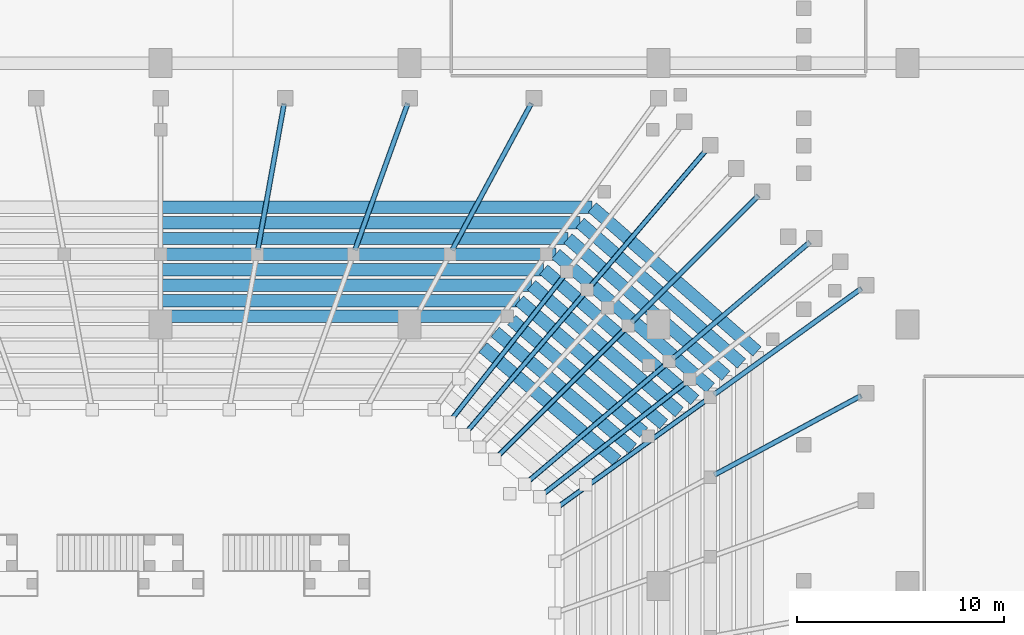
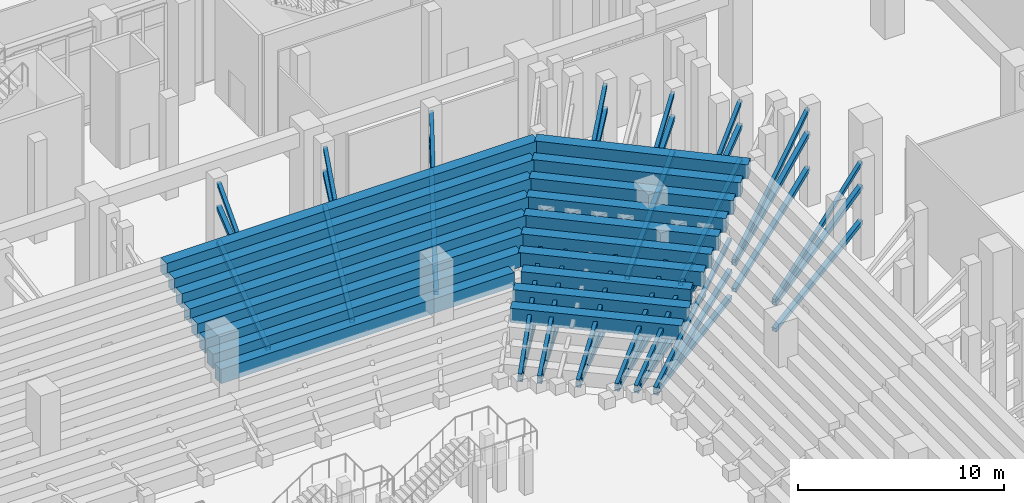
# One storey, part 50 of 143: 41 members, 18 beams.
"""IFC4 building model written with IfcOpenShell, lengths in metres."""

from ifc_helpers import new_model, si_unit, derived_unit, direction, frame, origin, origin_2d, place, context, subcontext, project, spatial, rectangle, hollow_rectangle, extrude, material, material_profile, profile_set, type_object, element, save


model = new_model("IFC4")

# Units and contexts
model_context = context("Model", 3, precision=1e-05, world=origin(), true_north=direction((0.0, 1.0)))
body_context = subcontext(model_context, "Body", "Model", "MODEL_VIEW")
ifc_project = project(units=[si_unit("LENGTHUNIT", "METRE"), si_unit("AREAUNIT", "SQUARE_METRE"), si_unit("VOLUMEUNIT", "CUBIC_METRE"), si_unit("PLANEANGLEUNIT", "RADIAN"), si_unit("MASSUNIT", "GRAM", prefix="KILO"), derived_unit("THERMALTRANSMITTANCEUNIT", [(si_unit("MASSUNIT", "GRAM", prefix="KILO"), 1), (si_unit("TIMEUNIT", "SECOND"), -3), (si_unit("THERMODYNAMICTEMPERATUREUNIT", "KELVIN"), -1)])], contexts=[model_context])

# Site, building, storey
site_placement = place(None, origin())
site = spatial("IfcSite", under=ifc_project, at=site_placement, CompositionType="ELEMENT")
building_placement = place(site_placement, origin())
building = spatial("IfcBuilding", under=site, at=building_placement, Name="Valcora Ridge Arena", CompositionType="ELEMENT")
storey_placement = place(building_placement, origin())
storey = spatial("IfcBuildingStorey", under=building, at=storey_placement, Name="L00", CompositionType="ELEMENT", Elevation=0.0)

# Beams
ifc_material_1 = material(Name="Concrete C40/50", Category="concrete")
ifc_material_profile_1 = material_profile(ifc_material_1, rectangle(XDim=0.60009765625, YDim=0.85009765625, at=origin_2d()), Name="RC 600x850")
ifc_profile_set_1 = profile_set([ifc_material_profile_1], Name="Concrete C40/50")
beam_type = type_object("IfcBeamType", Name="TY-BEAM-B-RC600-X", PredefinedType="BEAM", material=ifc_profile_set_1)
beam_1_placement = place(storey_placement, frame((80.0, 76.43994140625, 1.735107421875), z_axis=(-0.763745277173, 0.64551773918, 0.0), x_axis=(-0.64551773918, -0.763745277173, 0.0)))
element("IfcBeam", 1, at=beam_1_placement, inside=storey, type_object=beam_type, Name="B-RC600-X BEM-R2-B-RC600-X-0042", PredefinedType="BEAM", context=body_context, shape_type="SweptSolid", body=[
    extrude(rectangle(XDim=0.60009765625, YDim=0.85009765625, at=origin_2d()), origin(), (0.0, 0.0, 1.0), 8.458251953125),
])
beam_2_placement = place(storey_placement, frame((80.75, 77.02490234375, 2.175048828125), z_axis=(-0.762294079169, 0.647230821936, 0.0), x_axis=(-0.647230821936, -0.762294079169, 0.0)))
element("IfcBeam", 2, at=beam_2_placement, inside=storey, type_object=beam_type, Name="B-RC600-X BEM-R2-B-RC600-X-0054", PredefinedType="BEAM", context=body_context, shape_type="SweptSolid", body=[
    extrude(rectangle(XDim=0.60009765625, YDim=0.85009765625, at=origin_2d()), origin(), (0.0, 0.0, 1.0), 8.69091796875),
])
beam_3_placement = place(storey_placement, frame((81.286865234375, 77.791748046875, 2.614990234375), z_axis=(-0.76091703384, 0.648849187109, 0.0), x_axis=(-0.648849187109, -0.76091703384, 0.0)))
element("IfcBeam", 3, at=beam_3_placement, inside=storey, type_object=beam_type, Name="B-RC600-X BEM-R2-B-RC600-X-0066", PredefinedType="BEAM", context=body_context, shape_type="SweptSolid", body=[
    extrude(rectangle(XDim=0.60009765625, YDim=0.85009765625, at=origin_2d()), origin(), (0.0, 0.0, 1.0), 8.36328125),
])
beam_4_placement = place(storey_placement, frame((74.429931640625, 83.39990234375, 2.614990234375), z_axis=(-1.0, 0.0, 0.0), x_axis=(0.0, -1.0, 0.0)))
element("IfcBeam", 4, at=beam_4_placement, inside=storey, type_object=beam_type, Name="B-RC600-X BEM-R2-B-RC600-X-0067", PredefinedType="BEAM", context=body_context, shape_type="SweptSolid", body=[
    extrude(rectangle(XDim=0.60009765625, YDim=0.85009765625, at=origin_2d()), origin(), (0.0, 0.0, 1.0), 16.429931640625),
])
beam_5_placement = place(storey_placement, frame((82.25, 78.195068359375, 3.054931640625), z_axis=(-0.759615985638, 0.650371858526, 0.0), x_axis=(-0.650371858526, -0.759615985638, 0.0)))
element("IfcBeam", 5, at=beam_5_placement, inside=storey, type_object=beam_type, Name="B-RC600-X BEM-R2-B-RC600-X-0078", PredefinedType="BEAM", context=body_context, shape_type="SweptSolid", body=[
    extrude(rectangle(XDim=0.60009765625, YDim=0.85009765625, at=origin_2d()), origin(), (0.0, 0.0, 1.0), 9.156005859375),
])
beam_6_placement = place(storey_placement, frame((75.294921875, 84.14990234375, 3.054931640625), z_axis=(-1.0, 0.0, 0.0), x_axis=(0.0, -1.0, 0.0)))
element("IfcBeam", 6, at=beam_6_placement, inside=storey, type_object=beam_type, Name="B-RC600-X BEM-R2-B-RC600-X-0079", PredefinedType="BEAM", context=body_context, shape_type="SweptSolid", body=[
    extrude(rectangle(XDim=0.60009765625, YDim=0.85009765625, at=origin_2d()), origin(), (0.0, 0.0, 1.0), 17.294921875),
])
beam_7_placement = place(storey_placement, frame((83.0, 78.780029296875, 3.4951171875), z_axis=(-0.758365655014, 0.651829374373, 0.0), x_axis=(-0.651829374373, -0.758365655014, 0.0)))
element("IfcBeam", 7, at=beam_7_placement, inside=storey, type_object=beam_type, Name="B-RC600-X BEM-R2-B-RC600-X-0090", PredefinedType="BEAM", context=body_context, shape_type="SweptSolid", body=[
    extrude(rectangle(XDim=0.60009765625, YDim=0.85009765625, at=origin_2d()), origin(), (0.0, 0.0, 1.0), 9.388671875),
])
beam_8_placement = place(storey_placement, frame((75.8798828125, 84.89990234375, 3.4951171875), z_axis=(-1.0, 0.0, 0.0), x_axis=(0.0, -1.0, 0.0)))
element("IfcBeam", 8, at=beam_8_placement, inside=storey, type_object=beam_type, Name="B-RC600-X BEM-R2-B-RC600-X-0091", PredefinedType="BEAM", context=body_context, shape_type="SweptSolid", body=[
    extrude(rectangle(XDim=0.60009765625, YDim=0.85009765625, at=origin_2d()), origin(), (0.0, 0.0, 1.0), 17.8798828125),
])
beam_9_placement = place(storey_placement, frame((83.75, 79.364990234375, 3.93505859375), z_axis=(-0.757162389152, 0.653226696067, 0.0), x_axis=(-0.653226696067, -0.757162389152, 0.0)))
element("IfcBeam", 9, at=beam_9_placement, inside=storey, type_object=beam_type, Name="B-RC600-X BEM-R2-B-RC600-X-0102", PredefinedType="BEAM", context=body_context, shape_type="SweptSolid", body=[
    extrude(rectangle(XDim=0.60009765625, YDim=0.85009765625, at=origin_2d()), origin(), (0.0, 0.0, 1.0), 9.621337890625),
])
beam_10_placement = place(storey_placement, frame((76.465087890625, 85.64990234375, 3.93505859375), z_axis=(-1.0, 0.0, 0.0), x_axis=(0.0, -1.0, 0.0)))
element("IfcBeam", 10, at=beam_10_placement, inside=storey, type_object=beam_type, Name="B-RC600-X BEM-R2-B-RC600-X-0103", PredefinedType="BEAM", context=body_context, shape_type="SweptSolid", body=[
    extrude(rectangle(XDim=0.60009765625, YDim=0.85009765625, at=origin_2d()), origin(), (0.0, 0.0, 1.0), 18.465087890625),
])
beam_11_placement = place(storey_placement, frame((84.5, 79.949951171875, 4.375), z_axis=(-0.756024144683, 0.654543728605, 0.0), x_axis=(-0.654543728605, -0.756024144683, 0.0)))
element("IfcBeam", 11, at=beam_11_placement, inside=storey, type_object=beam_type, Name="B-RC600-X BEM-R2-B-RC600-X-0114", PredefinedType="BEAM", context=body_context, shape_type="SweptSolid", body=[
    extrude(rectangle(XDim=0.60009765625, YDim=0.85009765625, at=origin_2d()), origin(), (0.0, 0.0, 1.0), 9.85400390625),
])
beam_12_placement = place(storey_placement, frame((77.050048828125, 86.39990234375, 4.375), z_axis=(-1.0, 0.0, 0.0), x_axis=(0.0, -1.0, 0.0)))
element("IfcBeam", 12, at=beam_12_placement, inside=storey, type_object=beam_type, Name="B-RC600-X BEM-R2-B-RC600-X-0115", PredefinedType="BEAM", context=body_context, shape_type="SweptSolid", body=[
    extrude(rectangle(XDim=0.60009765625, YDim=0.85009765625, at=origin_2d()), origin(), (0.0, 0.0, 1.0), 19.050048828125),
])
beam_13_placement = place(storey_placement, frame((85.25, 80.534912109375, 4.81494140625), z_axis=(-0.754936305086, 0.655798120814, 0.0), x_axis=(-0.655798120814, -0.754936305086, 0.0)))
element("IfcBeam", 13, at=beam_13_placement, inside=storey, type_object=beam_type, Name="B-RC600-X BEM-R2-B-RC600-X-0126", PredefinedType="BEAM", context=body_context, shape_type="SweptSolid", body=[
    extrude(rectangle(XDim=0.60009765625, YDim=0.85009765625, at=origin_2d()), origin(), (0.0, 0.0, 1.0), 10.0869140625),
])
beam_14_placement = place(storey_placement, frame((77.635009765625, 87.14990234375, 4.81494140625), z_axis=(-1.0, 0.0, 0.0), x_axis=(0.0, -1.0, 0.0)))
element("IfcBeam", 14, at=beam_14_placement, inside=storey, type_object=beam_type, Name="B-RC600-X BEM-R2-B-RC600-X-0127", PredefinedType="BEAM", context=body_context, shape_type="SweptSolid", body=[
    extrude(rectangle(XDim=0.60009765625, YDim=0.85009765625, at=origin_2d()), origin(), (0.0, 0.0, 1.0), 19.635009765625),
])
beam_15_placement = place(storey_placement, frame((86.0, 81.1201171875, 5.2548828125), z_axis=(-0.753907326578, 0.656980778206, 0.0), x_axis=(-0.656980778206, -0.753907326578, 0.0)))
element("IfcBeam", 15, at=beam_15_placement, inside=storey, type_object=beam_type, Name="B-RC600-X BEM-R2-B-RC600-X-0138", PredefinedType="BEAM", context=body_context, shape_type="SweptSolid", body=[
    extrude(rectangle(XDim=0.60009765625, YDim=0.85009765625, at=origin_2d()), origin(), (0.0, 0.0, 1.0), 10.319580078125),
])
beam_16_placement = place(storey_placement, frame((78.219970703125, 87.89990234375, 5.2548828125), z_axis=(-1.0, 0.0, 0.0), x_axis=(0.0, -1.0, 0.0)))
element("IfcBeam", 16, at=beam_16_placement, inside=storey, type_object=beam_type, Name="B-RC600-X BEM-R2-B-RC600-X-0139", PredefinedType="BEAM", context=body_context, shape_type="SweptSolid", body=[
    extrude(rectangle(XDim=0.60009765625, YDim=0.85009765625, at=origin_2d()), origin(), (0.0, 0.0, 1.0), 20.219970703125),
])
beam_17_placement = place(storey_placement, frame((86.75, 81.705078125, 5.695068359375), z_axis=(-0.752910532451, 0.658122883757, 0.0), x_axis=(-0.658122883757, -0.752910532451, 0.0)))
element("IfcBeam", 17, at=beam_17_placement, inside=storey, type_object=beam_type, Name="B-RC600-X BEM-R2-B-RC600-X-0150", PredefinedType="BEAM", context=body_context, shape_type="SweptSolid", body=[
    extrude(rectangle(XDim=0.60009765625, YDim=0.85009765625, at=origin_2d()), origin(), (0.0, 0.0, 1.0), 10.552490234375),
])
beam_18_placement = place(storey_placement, frame((78.804931640625, 88.64990234375, 5.695068359375), z_axis=(-1.0, 0.0, 0.0), x_axis=(0.0, -1.0, 0.0)))
element("IfcBeam", 18, at=beam_18_placement, inside=storey, type_object=beam_type, Name="B-RC600-X BEM-R2-B-RC600-X-0151", PredefinedType="BEAM", context=body_context, shape_type="SweptSolid", body=[
    extrude(rectangle(XDim=0.60009765625, YDim=0.85009765625, at=origin_2d()), origin(), (0.0, 0.0, 1.0), 20.804931640625),
])

# Members
ifc_material_2 = material(Name="Steel ASTM A500 Grade C", Category="steel")
ifc_material_profile_2 = material_profile(ifc_material_2, hollow_rectangle(XDim=0.25, YDim=0.25, WallThickness=0.012451171875, at=origin_2d()), Name="HSS250X250X12")
ifc_profile_set_2 = profile_set([ifc_material_profile_2], Name="Steel ASTM A500 Grade C")
member_type_1 = type_object("IfcMemberType", Name="TY-MEMBER-RKRC-251", PredefinedType="CHORD", material=ifc_profile_set_2)
member_1_placement = place(storey_placement, frame((77.19140625, 74.23779296875, 0.294677734375), z_axis=(0.797358428485, 0.574113385493, 0.186046653079), x_axis=(-0.58431499263, 0.811526949268, 0.0)))
element("IfcMember", 19, at=member_1_placement, inside=storey, type_object=member_type_1, Name="RKRC-251 MBR-RK-RKRC-251-0024", PredefinedType="CHORD", context=body_context, shape_type="SweptSolid", body=[
    extrude(hollow_rectangle(XDim=0.25, YDim=0.25, WallThickness=0.012451171875, at=origin_2d()), origin(), (0.0, 0.0, 1.0), 8.926025390625),
])
member_2_placement = place(storey_placement, frame((76.460693359375, 74.84521484375, 0.294921875), z_axis=(0.773684652566, 0.605324886043, 0.187066407248), x_axis=(-0.616202543034, 0.787587725881, 0.0)))
element("IfcMember", 20, at=member_2_placement, inside=storey, type_object=member_type_1, Name="RKRC-251 MBR-RK-RKRC-251-0025", PredefinedType="CHORD", context=body_context, shape_type="SweptSolid", body=[
    extrude(hollow_rectangle(XDim=0.25, YDim=0.25, WallThickness=0.012451171875, at=origin_2d()), origin(), (0.0, 0.0, 1.0), 8.874755859375),
])
member_3_placement = place(storey_placement, frame((75.729736328125, 75.45263671875, 0.295166015625), z_axis=(0.748566023591, 0.635909558144, 0.187797609638), x_axis=(-0.647428774855, 0.762125961695, 0.0)))
element("IfcMember", 21, at=member_3_placement, inside=storey, type_object=member_type_1, Name="RKRC-251 MBR-RK-RKRC-251-0026", PredefinedType="CHORD", context=body_context, shape_type="SweptSolid", body=[
    extrude(hollow_rectangle(XDim=0.25, YDim=0.25, WallThickness=0.012451171875, at=origin_2d()), origin(), (0.0, 0.0, 1.0), 8.837646484375),
])
member_4_placement = place(storey_placement, frame((74.2666015625, 76.666748046875, 0.295166015625), z_axis=(0.694454111564, 0.694426393271, 0.188428955473), x_axis=(-0.70709266911, 0.707120892982, 0.0)))
element("IfcMember", 22, at=member_4_placement, inside=storey, type_object=member_type_1, Name="RKRC-251 MBR-RK-RKRC-251-0027", PredefinedType="CHORD", context=body_context, shape_type="SweptSolid", body=[
    extrude(hollow_rectangle(XDim=0.25, YDim=0.25, WallThickness=0.012451171875, at=origin_2d()), origin(), (0.0, 0.0, 1.0), 8.807861328125),
])
member_5_placement = place(storey_placement, frame((72.802490234375, 77.879638671875, 0.295166015625), z_axis=(0.635896408049, 0.7485781687, 0.187793726136), x_axis=(-0.762137750657, 0.647414897128, 0.0)))
element("IfcMember", 23, at=member_5_placement, inside=storey, type_object=member_type_1, Name="RKRC-251 MBR-RK-RKRC-251-0029", PredefinedType="CHORD", context=body_context, shape_type="SweptSolid", body=[
    extrude(hollow_rectangle(XDim=0.25, YDim=0.25, WallThickness=0.012451171875, at=origin_2d()), origin(), (0.0, 0.0, 1.0), 8.837646484375),
])
member_6_placement = place(storey_placement, frame((72.0703125, 78.485595703125, 0.294921875), z_axis=(0.605307455921, 0.77369753626, 0.18706952235), x_axis=(-0.787601316701, 0.616185171788, 0.0)))
element("IfcMember", 24, at=member_6_placement, inside=storey, type_object=member_type_1, Name="RKRC-251 MBR-RK-RKRC-251-0030", PredefinedType="CHORD", context=body_context, shape_type="SweptSolid", body=[
    extrude(hollow_rectangle(XDim=0.25, YDim=0.25, WallThickness=0.012451171875, at=origin_2d()), origin(), (0.0, 0.0, 1.0), 8.87451171875),
])
ifc_material_profile_3 = material_profile(ifc_material_2, hollow_rectangle(XDim=0.25, YDim=0.25, WallThickness=0.012451171875, at=origin_2d()), Name="HSS250X250X12")
ifc_profile_set_3 = profile_set([ifc_material_profile_3], Name="Steel ASTM A500 Grade C")
member_type_2 = type_object("IfcMemberType", Name="TY-MEMBER-RKRC-252", PredefinedType="CHORD", material=ifc_profile_set_3)
member_7_placement = place(storey_placement, frame((84.703857421875, 75.760009765625, 2.0625), z_axis=(0.8495205311, 0.458742849833, 0.260518454178), x_axis=(-0.475150328559, 0.87990463419, 0.0)))
element("IfcMember", 25, at=member_7_placement, inside=storey, type_object=member_type_2, Name="RKRC-252 MBR-RK-RKRC-252-0023", PredefinedType="CHORD", context=body_context, shape_type="SweptSolid", body=[
    extrude(hollow_rectangle(XDim=0.25, YDim=0.25, WallThickness=0.012451171875, at=origin_2d()), origin(), (0.0, 0.0, 1.0), 8.30859375),
])
member_8_placement = place(storey_placement, frame((84.68896484375, 79.635986328125, 2.05810546875), z_axis=(0.787514994452, 0.567011880625, 0.241490498247), x_axis=(-0.584305461948, 0.811533811457, 0.0)))
element("IfcMember", 26, at=member_8_placement, inside=storey, type_object=member_type_2, Name="RKRC-252 MBR-RK-RKRC-252-0024", PredefinedType="CHORD", context=body_context, shape_type="SweptSolid", body=[
    extrude(hollow_rectangle(XDim=0.25, YDim=0.25, WallThickness=0.012451171875, at=origin_2d()), origin(), (0.0, 0.0, 1.0), 9.003662109375),
])
member_9_placement = place(storey_placement, frame((82.702392578125, 81.375732421875, 2.05859375), z_axis=(0.739162342875, 0.627884115001, 0.243722319464), x_axis=(-0.647406626108, 0.762144776582, 0.0)))
element("IfcMember", 27, at=member_9_placement, inside=storey, type_object=member_type_2, Name="RKRC-252 MBR-RK-RKRC-252-0026", PredefinedType="CHORD", context=body_context, shape_type="SweptSolid", body=[
    extrude(hollow_rectangle(XDim=0.25, YDim=0.25, WallThickness=0.012451171875, at=origin_2d()), origin(), (0.0, 0.0, 1.0), 8.916259765625),
])
member_10_placement = place(storey_placement, frame((80.714599609375, 83.114501953125, 2.05859375), z_axis=(0.685647133056, 0.685647133056, 0.244491345174), x_axis=(-0.707106781187, 0.707106781187, 0.0)))
element("IfcMember", 28, at=member_10_placement, inside=storey, type_object=member_type_2, Name="RKRC-252 MBR-RK-RKRC-252-0027", PredefinedType="CHORD", context=body_context, shape_type="SweptSolid", body=[
    extrude(hollow_rectangle(XDim=0.25, YDim=0.25, WallThickness=0.012451171875, at=origin_2d()), origin(), (0.0, 0.0, 1.0), 8.88720703125),
])
member_11_placement = place(storey_placement, frame((78.7255859375, 84.852294921875, 2.05859375), z_axis=(0.627887993497, 0.739162056186, 0.243713196848), x_axis=(-0.762142679465, 0.647409094884, 0.0)))
element("IfcMember", 29, at=member_11_placement, inside=storey, type_object=member_type_2, Name="RKRC-252 MBR-RK-RKRC-252-0029", PredefinedType="CHORD", context=body_context, shape_type="SweptSolid", body=[
    extrude(hollow_rectangle(XDim=0.25, YDim=0.25, WallThickness=0.012451171875, at=origin_2d()), origin(), (0.0, 0.0, 1.0), 8.91650390625),
])
member_12_placement = place(storey_placement, frame((72.06005859375, 86.60400390625, 2.0625), z_axis=(0.458754301342, 0.849512352792, 0.260524957449), x_axis=(-0.879897762683, 0.475163053304, 0.0)))
element("IfcMember", 30, at=member_12_placement, inside=storey, type_object=member_type_2, Name="RKRC-252 MBR-RK-RKRC-252-0032", PredefinedType="CHORD", context=body_context, shape_type="SweptSolid", body=[
    extrude(hollow_rectangle(XDim=0.25, YDim=0.25, WallThickness=0.012451171875, at=origin_2d()), origin(), (0.0, 0.0, 1.0), 8.308349609375),
])
member_13_placement = place(storey_placement, frame((67.378173828125, 86.616943359375, 2.06640625), z_axis=(0.325435833964, 0.904005869091, 0.277245210277), x_axis=(-0.940889494564, 0.338713682953, 0.0)))
element("IfcMember", 31, at=member_13_placement, inside=storey, type_object=member_type_2, Name="RKRC-252 MBR-RK-RKRC-252-0033", PredefinedType="CHORD", context=body_context, shape_type="SweptSolid", body=[
    extrude(hollow_rectangle(XDim=0.25, YDim=0.25, WallThickness=0.012451171875, at=origin_2d()), origin(), (0.0, 0.0, 1.0), 7.776611328125),
])
member_14_placement = place(storey_placement, frame((62.690673828125, 86.626220703125, 2.0693359375), z_axis=(0.169586463924, 0.942209005154, 0.288933594204), x_axis=(-0.984185355806, 0.177141709985, 0.0)))
element("IfcMember", 32, at=member_14_placement, inside=storey, type_object=member_type_2, Name="RKRC-252 MBR-RK-RKRC-252-0034", PredefinedType="CHORD", context=body_context, shape_type="SweptSolid", body=[
    extrude(hollow_rectangle(XDim=0.25, YDim=0.25, WallThickness=0.012451171875, at=origin_2d()), origin(), (0.0, 0.0, 1.0), 7.43994140625),
])
ifc_material_profile_4 = material_profile(ifc_material_2, hollow_rectangle(XDim=0.25, YDim=0.25, WallThickness=0.012451171875, at=origin_2d()), Name="HSS250X250X12")
ifc_profile_set_4 = profile_set([ifc_material_profile_4], Name="Steel ASTM A500 Grade C")
member_type_3 = type_object("IfcMemberType", Name="TY-MEMBER-RKRC-254", PredefinedType="CHORD", material=ifc_profile_set_4)
member_15_placement = place(storey_placement, frame((77.19482421875, 74.240234375, 0.39990234375), z_axis=(0.811524828079, 0.584317938635, 0.0), x_axis=(-0.584317938635, 0.811524828079, 0.0)))
element("IfcMember", 33, at=member_15_placement, inside=storey, type_object=member_type_3, Name="RKRC-254 MBR-RK-RKRC-254-0024", PredefinedType="CHORD", context=body_context, shape_type="SweptSolid", body=[
    extrude(hollow_rectangle(XDim=0.25, YDim=0.25, WallThickness=0.012451171875, at=origin_2d()), origin(), (0.0, 0.0, 1.0), 8.76171875),
])
member_16_placement = place(storey_placement, frame((76.464111328125, 74.847900390625, 0.39990234375), z_axis=(0.78758899131, 0.616200925647, 0.0), x_axis=(-0.616200925647, 0.78758899131, 0.0)))
element("IfcMember", 34, at=member_16_placement, inside=storey, type_object=member_type_3, Name="RKRC-254 MBR-RK-RKRC-254-0025", PredefinedType="CHORD", context=body_context, shape_type="SweptSolid", body=[
    extrude(hollow_rectangle(XDim=0.25, YDim=0.25, WallThickness=0.012451171875, at=origin_2d()), origin(), (0.0, 0.0, 1.0), 8.709228515625),
])
member_17_placement = place(storey_placement, frame((75.73291015625, 75.455322265625, 0.39990234375), z_axis=(0.762138643155, 0.647413846477, 0.0), x_axis=(-0.647413846477, 0.762138643155, 0.0)))
element("IfcMember", 35, at=member_17_placement, inside=storey, type_object=member_type_3, Name="RKRC-254 MBR-RK-RKRC-254-0026", PredefinedType="CHORD", context=body_context, shape_type="SweptSolid", body=[
    extrude(hollow_rectangle(XDim=0.25, YDim=0.25, WallThickness=0.012451171875, at=origin_2d()), origin(), (0.0, 0.0, 1.0), 8.671875),
])
member_18_placement = place(storey_placement, frame((74.269775390625, 76.669677734375, 0.39990234375), z_axis=(0.707106781187, 0.707106781187, 0.0), x_axis=(-0.707106781187, 0.707106781187, 0.0)))
element("IfcMember", 36, at=member_18_placement, inside=storey, type_object=member_type_3, Name="RKRC-254 MBR-RK-RKRC-254-0027", PredefinedType="CHORD", context=body_context, shape_type="SweptSolid", body=[
    extrude(hollow_rectangle(XDim=0.25, YDim=0.25, WallThickness=0.012451171875, at=origin_2d()), origin(), (0.0, 0.0, 1.0), 8.6416015625),
])
member_19_placement = place(storey_placement, frame((72.805419921875, 77.8828125, 0.39990234375), z_axis=(0.647399955279, 0.762150443091, 0.0), x_axis=(-0.762150443091, 0.647399955279, 0.0)))
element("IfcMember", 37, at=member_19_placement, inside=storey, type_object=member_type_3, Name="RKRC-254 MBR-RK-RKRC-254-0029", PredefinedType="CHORD", context=body_context, shape_type="SweptSolid", body=[
    extrude(hollow_rectangle(XDim=0.25, YDim=0.25, WallThickness=0.012451171875, at=origin_2d()), origin(), (0.0, 0.0, 1.0), 8.672119140625),
])
member_20_placement = place(storey_placement, frame((72.072998046875, 78.489013671875, 0.39990234375), z_axis=(0.616200925647, 0.78758899131, 0.0), x_axis=(-0.78758899131, 0.616200925647, 0.0)))
element("IfcMember", 38, at=member_20_placement, inside=storey, type_object=member_type_3, Name="RKRC-254 MBR-RK-RKRC-254-0030", PredefinedType="CHORD", context=body_context, shape_type="SweptSolid", body=[
    extrude(hollow_rectangle(XDim=0.25, YDim=0.25, WallThickness=0.012451171875, at=origin_2d()), origin(), (0.0, 0.0, 1.0), 8.709228515625),
])
ifc_material_profile_5 = material_profile(ifc_material_2, hollow_rectangle(XDim=0.25, YDim=0.25, WallThickness=0.012451171875, at=origin_2d()), Name="HSS250X250X12")
ifc_profile_set_5 = profile_set([ifc_material_profile_5], Name="Steel ASTM A500 Grade C")
member_type_4 = type_object("IfcMemberType", Name="TY-MEMBER-RKRC-255", PredefinedType="CHORD", material=ifc_profile_set_5)
member_21_placement = place(storey_placement, frame((84.706787109375, 75.76171875, 0.498291015625), z_axis=(0.861936544086, 0.465418877553, 0.201123500334), x_axis=(-0.475127687835, 0.879916859852, 0.0)))
element("IfcMember", 39, at=member_21_placement, inside=storey, type_object=member_type_4, Name="RKRC-255 MBR-RK-RKRC-255-0023", PredefinedType="CHORD", context=body_context, shape_type="SweptSolid", body=[
    extrude(hollow_rectangle(XDim=0.25, YDim=0.25, WallThickness=0.012451171875, at=origin_2d()), origin(), (0.0, 0.0, 1.0), 8.181640625),
])
member_22_placement = place(storey_placement, frame((84.69140625, 79.6376953125, 0.49462890625), z_axis=(0.797352064802, 0.57411766466, 0.186060720955), x_axis=(-0.584320932062, 0.81152267273, 0.0)))
element("IfcMember", 40, at=member_22_placement, inside=storey, type_object=member_type_4, Name="RKRC-255 MBR-RK-RKRC-255-0024", PredefinedType="CHORD", context=body_context, shape_type="SweptSolid", body=[
    extrude(hollow_rectangle(XDim=0.25, YDim=0.25, WallThickness=0.012451171875, at=origin_2d()), origin(), (0.0, 0.0, 1.0), 8.885986328125),
])
member_23_placement = place(storey_placement, frame((82.70458984375, 81.377685546875, 0.4951171875), z_axis=(0.748581628324, 0.635885057699, 0.187818367396), x_axis=(-0.647406446763, 0.762144928927, 0.0)))
element("IfcMember", 41, at=member_23_placement, inside=storey, type_object=member_type_4, Name="RKRC-255 MBR-RK-RKRC-255-0026", PredefinedType="CHORD", context=body_context, shape_type="SweptSolid", body=[
    extrude(hollow_rectangle(XDim=0.25, YDim=0.25, WallThickness=0.012451171875, at=origin_2d()), origin(), (0.0, 0.0, 1.0), 8.797607421875),
])
member_24_placement = place(storey_placement, frame((80.716796875, 83.11669921875, 0.4951171875), z_axis=(0.694440992123, 0.694440992123, 0.188423504158), x_axis=(-0.707106781187, 0.707106781187, 0.0)))
element("IfcMember", 42, at=member_24_placement, inside=storey, type_object=member_type_4, Name="RKRC-255 MBR-RK-RKRC-255-0027", PredefinedType="CHORD", context=body_context, shape_type="SweptSolid", body=[
    extrude(hollow_rectangle(XDim=0.25, YDim=0.25, WallThickness=0.012451171875, at=origin_2d()), origin(), (0.0, 0.0, 1.0), 8.76806640625),
])
member_25_placement = place(storey_placement, frame((72.061767578125, 86.60693359375, 0.498291015625), z_axis=(0.465430848581, 0.861928872886, 0.201128673427), x_axis=(-0.87990998272, 0.475140423781, 0.0)))
element("IfcMember", 43, at=member_25_placement, inside=storey, type_object=member_type_4, Name="RKRC-255 MBR-RK-RKRC-255-0032", PredefinedType="CHORD", context=body_context, shape_type="SweptSolid", body=[
    extrude(hollow_rectangle(XDim=0.25, YDim=0.25, WallThickness=0.012451171875, at=origin_2d()), origin(), (0.0, 0.0, 1.0), 8.181396484375),
])
member_26_placement = place(storey_placement, frame((67.37939453125, 86.62060546875, 0.50146484375), z_axis=(0.330860021706, 0.91899526261, 0.214427967713), x_axis=(-0.940880322384, 0.338739160639, 0.0)))
element("IfcMember", 44, at=member_26_placement, inside=storey, type_object=member_type_4, Name="RKRC-255 MBR-RK-RKRC-255-0033", PredefinedType="CHORD", context=body_context, shape_type="SweptSolid", body=[
    extrude(hollow_rectangle(XDim=0.25, YDim=0.25, WallThickness=0.012451171875, at=origin_2d()), origin(), (0.0, 0.0, 1.0), 7.640869140625),
])
member_27_placement = place(storey_placement, frame((62.69140625, 86.630126953125, 0.503662109375), z_axis=(0.172663767621, 0.959217137557, 0.223807297395), x_axis=(-0.984182486251, 0.177157652266, 0.0)))
element("IfcMember", 45, at=member_27_placement, inside=storey, type_object=member_type_4, Name="RKRC-255 MBR-RK-RKRC-255-0034", PredefinedType="CHORD", context=body_context, shape_type="SweptSolid", body=[
    extrude(hollow_rectangle(XDim=0.25, YDim=0.25, WallThickness=0.012451171875, at=origin_2d()), origin(), (0.0, 0.0, 1.0), 7.298828125),
])
ifc_material_profile_6 = material_profile(ifc_material_2, hollow_rectangle(XDim=0.199951171875, YDim=0.199951171875, WallThickness=0.012451171875, at=origin_2d()), Name="HSS200X200X12")
ifc_profile_set_6 = profile_set([ifc_material_profile_6], Name="Steel ASTM A500 Grade C")
member_type_5 = type_object("IfcMemberType", Name="TY-MEMBER-RKRD-202", PredefinedType="BRACE", material=ifc_profile_set_6)
member_28_placement = place(storey_placement, frame((84.694580078125, 75.755126953125, 2.243408203125), z_axis=(0.810573016604, 0.437703278307, 0.389085112685), x_axis=(-0.475143745342, 0.87990818911, 0.0)))
element("IfcMember", 46, at=member_28_placement, inside=storey, type_object=member_type_5, Name="RKRD-202 Raker Diagonal Brace", PredefinedType="BRACE", context=body_context, shape_type="SweptSolid", body=[
    extrude(hollow_rectangle(XDim=0.199951171875, YDim=0.199951171875, WallThickness=0.012451171875, at=origin_2d()), origin(), (0.0, 0.0, 1.0), 8.732666015625),
])
member_29_placement = place(storey_placement, frame((84.681396484375, 79.630615234375, 2.237060546875), z_axis=(0.756188968003, 0.544450861573, 0.362975900031), x_axis=(-0.584301053778, 0.811536985327, 0.0)))
element("IfcMember", 47, at=member_29_placement, inside=storey, type_object=member_type_5, Name="RKRD-202 Raker Diagonal Brace", PredefinedType="BRACE", context=body_context, shape_type="SweptSolid", body=[
    extrude(hollow_rectangle(XDim=0.199951171875, YDim=0.199951171875, WallThickness=0.012451171875, at=origin_2d()), origin(), (0.0, 0.0, 1.0), 9.3984375),
])
member_30_placement = place(storey_placement, frame((82.6953125, 81.36962890625, 2.23779296875), z_axis=(0.709248372862, 0.602464017526, 0.36606536736), x_axis=(-0.64740065391, 0.762149849647, 0.0)))
element("IfcMember", 48, at=member_30_placement, inside=storey, type_object=member_type_5, Name="RKRD-202 Raker Diagonal Brace", PredefinedType="BRACE", context=body_context, shape_type="SweptSolid", body=[
    extrude(hollow_rectangle(XDim=0.199951171875, YDim=0.199951171875, WallThickness=0.012451171875, at=origin_2d()), origin(), (0.0, 0.0, 1.0), 9.314453125),
])
member_31_placement = place(storey_placement, frame((80.7080078125, 83.10791015625, 2.238037109375), z_axis=(0.657732417074, 0.657732417074, 0.367118693422), x_axis=(-0.707106781187, 0.707106781187, 0.0)))
element("IfcMember", 49, at=member_31_placement, inside=storey, type_object=member_type_5, Name="RKRD-202 Raker Diagonal Brace", PredefinedType="BRACE", context=body_context, shape_type="SweptSolid", body=[
    extrude(hollow_rectangle(XDim=0.199951171875, YDim=0.199951171875, WallThickness=0.012451171875, at=origin_2d()), origin(), (0.0, 0.0, 1.0), 9.286376953125),
])
member_32_placement = place(storey_placement, frame((78.719482421875, 84.84521484375, 2.23779296875), z_axis=(0.602480714626, 0.709237172934, 0.366059586725), x_axis=(-0.762135952051, 0.647417014444, 0.0)))
element("IfcMember", 50, at=member_32_placement, inside=storey, type_object=member_type_5, Name="RKRD-202 Raker Diagonal Brace", PredefinedType="BRACE", context=body_context, shape_type="SweptSolid", body=[
    extrude(hollow_rectangle(XDim=0.199951171875, YDim=0.199951171875, WallThickness=0.012451171875, at=origin_2d()), origin(), (0.0, 0.0, 1.0), 9.314453125),
])
member_33_placement = place(storey_placement, frame((72.05517578125, 86.594482421875, 2.243408203125), z_axis=(0.437693359404, 0.810582604915, 0.38907629553), x_axis=(-0.879915040471, 0.47513105724, 0.0)))
element("IfcMember", 51, at=member_33_placement, inside=storey, type_object=member_type_5, Name="RKRD-202 Raker Diagonal Brace", PredefinedType="BRACE", context=body_context, shape_type="SweptSolid", body=[
    extrude(hollow_rectangle(XDim=0.199951171875, YDim=0.199951171875, WallThickness=0.012451171875, at=origin_2d()), origin(), (0.0, 0.0, 1.0), 8.732666015625),
])
member_34_placement = place(storey_placement, frame((67.3740234375, 86.605712890625, 2.248779296875), z_axis=(0.308702201603, 0.857492925697, 0.411593043071), x_axis=(-0.940885751403, 0.338724080643, 0.0)))
element("IfcMember", 52, at=member_34_placement, inside=storey, type_object=member_type_5, Name="RKRD-202 Raker Diagonal Brace", PredefinedType="BRACE", context=body_context, shape_type="SweptSolid", body=[
    extrude(hollow_rectangle(XDim=0.199951171875, YDim=0.199951171875, WallThickness=0.012451171875, at=origin_2d()), origin(), (0.0, 0.0, 1.0), 8.2265625),
])
member_35_placement = place(storey_placement, frame((62.6884765625, 86.613525390625, 2.25244140625), z_axis=(0.160163827431, 0.889884796783, 0.427144702456), x_axis=(-0.984186300312, 0.177136462308, 0.0)))
element("IfcMember", 53, at=member_35_placement, inside=storey, type_object=member_type_5, Name="RKRD-202 Raker Diagonal Brace", PredefinedType="BRACE", context=body_context, shape_type="SweptSolid", body=[
    extrude(hollow_rectangle(XDim=0.199951171875, YDim=0.199951171875, WallThickness=0.012451171875, at=origin_2d()), origin(), (0.0, 0.0, 1.0), 7.908203125),
])
ifc_material_profile_7 = material_profile(ifc_material_2, hollow_rectangle(XDim=0.199951171875, YDim=0.199951171875, WallThickness=0.012451171875, at=origin_2d()), Name="HSS200X200X12")
ifc_profile_set_7 = profile_set([ifc_material_profile_7], Name="Steel ASTM A500 Grade C")
member_type_6 = type_object("IfcMemberType", Name="TY-MEMBER-RKRD-204", PredefinedType="BRACE", material=ifc_profile_set_7)
member_36_placement = place(storey_placement, frame((77.182861328125, 74.231689453125, 0.5830078125), z_axis=(0.761627770526, 0.54837616494, 0.345263263163), x_axis=(-0.584307652214, 0.811532234458, 0.0)))
element("IfcMember", 54, at=member_36_placement, inside=storey, type_object=member_type_6, Name="RKRD-204 Raker Diagonal Brace", PredefinedType="BRACE", context=body_context, shape_type="SweptSolid", body=[
    extrude(hollow_rectangle(XDim=0.199951171875, YDim=0.199951171875, WallThickness=0.012451171875, at=origin_2d()), origin(), (0.0, 0.0, 1.0), 9.3671875),
])
member_37_placement = place(storey_placement, frame((76.452392578125, 74.838623046875, 0.583251953125), z_axis=(0.738641503667, 0.577928287738, 0.346998016266), x_axis=(-0.616216359532, 0.787576915764, 0.0)))
element("IfcMember", 55, at=member_37_placement, inside=storey, type_object=member_type_6, Name="RKRD-204 Raker Diagonal Brace", PredefinedType="BRACE", context=body_context, shape_type="SweptSolid", body=[
    extrude(hollow_rectangle(XDim=0.199951171875, YDim=0.199951171875, WallThickness=0.012451171875, at=origin_2d()), origin(), (0.0, 0.0, 1.0), 9.318115234375),
])
member_38_placement = place(storey_placement, frame((75.721435546875, 75.44580078125, 0.58349609375), z_axis=(0.71443726309, 0.606870599882, 0.348263509583), x_axis=(-0.647399991399, 0.76215041241, 0.0)))
element("IfcMember", 56, at=member_38_placement, inside=storey, type_object=member_type_6, Name="RKRD-204 Raker Diagonal Brace", PredefinedType="BRACE", context=body_context, shape_type="SweptSolid", body=[
    extrude(hollow_rectangle(XDim=0.199951171875, YDim=0.199951171875, WallThickness=0.012451171875, at=origin_2d()), origin(), (0.0, 0.0, 1.0), 9.282958984375),
])
member_39_placement = place(storey_placement, frame((74.259033203125, 76.658935546875, 0.583740234375), z_axis=(0.662575857182, 0.662575857182, 0.349265610904), x_axis=(-0.707106781187, 0.707106781187, 0.0)))
element("IfcMember", 57, at=member_39_placement, inside=storey, type_object=member_type_6, Name="RKRD-204 Raker Diagonal Brace", PredefinedType="BRACE", context=body_context, shape_type="SweptSolid", body=[
    extrude(hollow_rectangle(XDim=0.199951171875, YDim=0.199951171875, WallThickness=0.012451171875, at=origin_2d()), origin(), (0.0, 0.0, 1.0), 9.2548828125),
])
member_40_placement = place(storey_placement, frame((72.795654296875, 77.87158203125, 0.58349609375), z_axis=(0.606882002874, 0.714424386829, 0.348270053394), x_axis=(-0.762138652871, 0.647413835039, 0.0)))
element("IfcMember", 58, at=member_40_placement, inside=storey, type_object=member_type_6, Name="RKRD-204 Raker Diagonal Brace", PredefinedType="BRACE", context=body_context, shape_type="SweptSolid", body=[
    extrude(hollow_rectangle(XDim=0.199951171875, YDim=0.199951171875, WallThickness=0.012451171875, at=origin_2d()), origin(), (0.0, 0.0, 1.0), 9.28271484375),
])
member_41_placement = place(storey_placement, frame((72.063720703125, 78.477294921875, 0.583251953125), z_axis=(0.577910837908, 0.73865268814, 0.347003270492), x_axis=(-0.787590473734, 0.616199030901, 0.0)))
element("IfcMember", 59, at=member_41_placement, inside=storey, type_object=member_type_6, Name="RKRD-204 Raker Diagonal Brace", PredefinedType="BRACE", context=body_context, shape_type="SweptSolid", body=[
    extrude(hollow_rectangle(XDim=0.199951171875, YDim=0.199951171875, WallThickness=0.012451171875, at=origin_2d()), origin(), (0.0, 0.0, 1.0), 9.318115234375),
])

save(model, "model.ifc")
